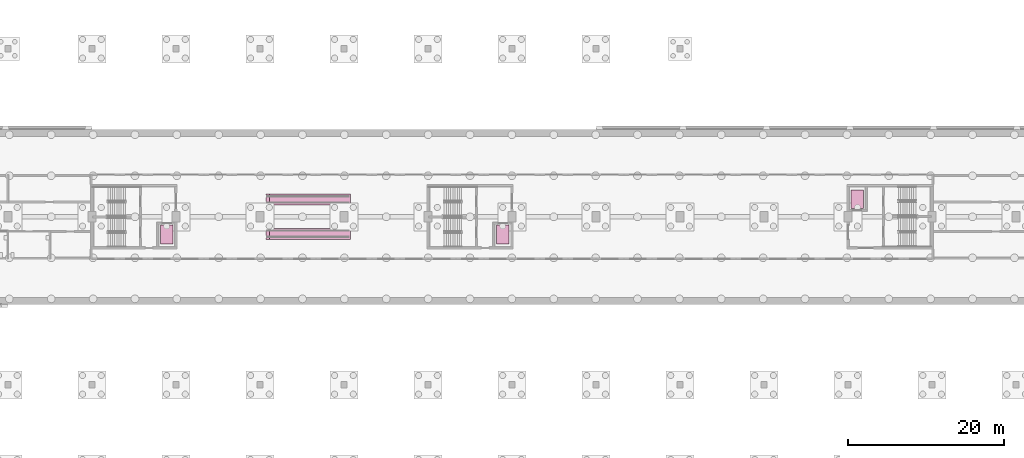
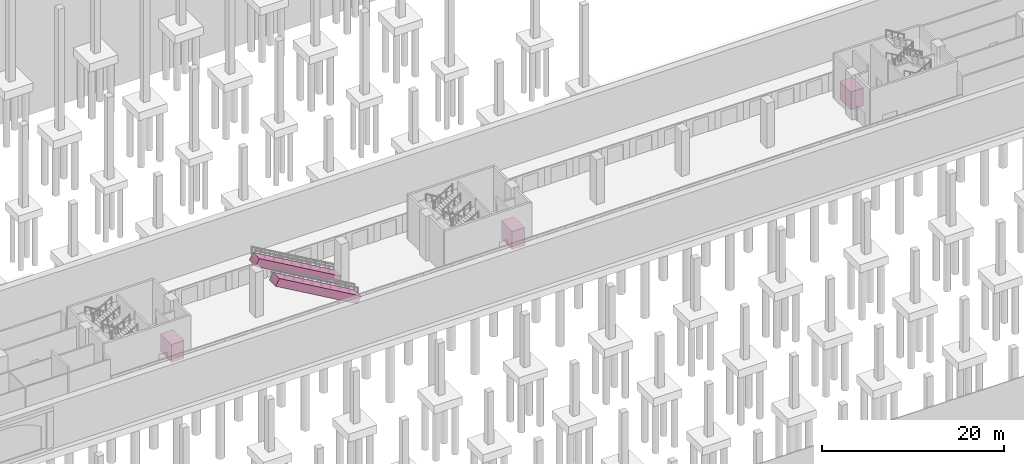
# One storey, part 39 of 39: 5 transport elements.
"""IFC4 building model written with IfcOpenShell, lengths in metres."""

from ifc_helpers import new_model, si_unit, direction, frame, origin, origin_2d, place, context, subcontext, project, spatial, rectangle, extrude, material, material_profile, profile_set, type_object, element, save


model = new_model("IFC4")

# Units and contexts
model_context = context("Model", 3, precision=1e-05, world=origin(), true_north=direction((0.0, 1.0)))
body_context = subcontext(model_context, "Body", "Model", "MODEL_VIEW")
ifc_project = project(units=[si_unit("LENGTHUNIT", "METRE"), si_unit("AREAUNIT", "SQUARE_METRE"), si_unit("VOLUMEUNIT", "CUBIC_METRE"), si_unit("PLANEANGLEUNIT", "RADIAN"), si_unit("MASSUNIT", "GRAM", prefix="KILO")], contexts=[model_context])

# Site, building, storey
site_placement = place(None, origin())
site = spatial("IfcSite", under=ifc_project, at=site_placement, CompositionType="ELEMENT")
building_placement = place(site_placement, origin())
building = spatial("IfcBuilding", under=site, at=building_placement, Name="Magnolia Steps Interchange", CompositionType="ELEMENT")
storey_placement = place(building_placement, frame((0.0, 0.0, -11.39990234375)))
storey = spatial("IfcBuildingStorey", under=building, at=storey_placement, Name="B2", CompositionType="ELEMENT", Elevation=-11.39990234375)

# Transport elements
ifc_material_1 = material(Name="Stainless steel grade 304", Category="steel")
ifc_material_profile = material_profile(ifc_material_1, rectangle(XDim=1.39990234375, YDim=1.0, at=origin_2d()), Name="Escalator 1000")
ifc_profile_set = profile_set([ifc_material_profile], Name="Stainless steel grade 304")
transport_element_type_1 = type_object("IfcTransportElementType", Name="Escalator 1000", PredefinedType="ESCALATOR", material=ifc_profile_set)
for number, where, z_axis, x_axis, name in (
    (1, (75.800048828125, 61.800048828125, 5.5498046875), (0.866026010844, 0.0, -0.49999894854), (0.0, 1.0, 0.0), "Escalator down EV2"),
    (2, (75.800048828125, 66.199951171875, 5.5498046875), (0.866026010844, 0.0, -0.49999894854), (0.0, 1.0, 0.0), "Escalator up EV2"),
):
    element("IfcTransportElement", number, at=place(storey_placement, frame(where, z_axis=z_axis, x_axis=x_axis)), inside=storey, type_object=transport_element_type_1, Name=name, PredefinedType="ESCALATOR", context=body_context, shape_type="SweptSolid", body=[
        extrude(rectangle(XDim=1.39990234375, YDim=1.0, at=origin_2d()), origin(), (0.0, 0.0, 1.0), 12.0),
    ])
ifc_material_2 = material(Name="Stainless steel grade 304", Category="steel")
transport_element_type_2 = type_object("IfcTransportElementType", Name="Platform lift 1600x2400", PredefinedType="ELEVATOR", material=ifc_material_2)
for number, where, z_axis, x_axis, name in (
    (3, (62.824951171875, 61.72509765625, 0.0), (0.0, 0.0, 1.0), (0.0, 1.0, 0.0), "Lift LF5"),
    (4, (106.02490234375, 61.72509765625, 0.0), (0.0, 0.0, 1.0), (0.0, 1.0, 0.0), "Lift LF6"),
    (5, (151.574951171875, 66.27490234375, 0.0), (0.0, 0.0, 1.0), (0.0, -1.0, 0.0), "Lift LF7"),
):
    element("IfcTransportElement", number, at=place(storey_placement, frame(where, z_axis=z_axis, x_axis=x_axis)), inside=storey, type_object=transport_element_type_2, Name=name, PredefinedType="ELEVATOR", context=body_context, shape_type="SweptSolid", body=[
        extrude(rectangle(XDim=2.39990234375, YDim=1.60009765625, at=origin_2d()), origin(), (0.0, 0.0, 1.0), 2.39990234375),
    ])

save(model, "model.ifc")
